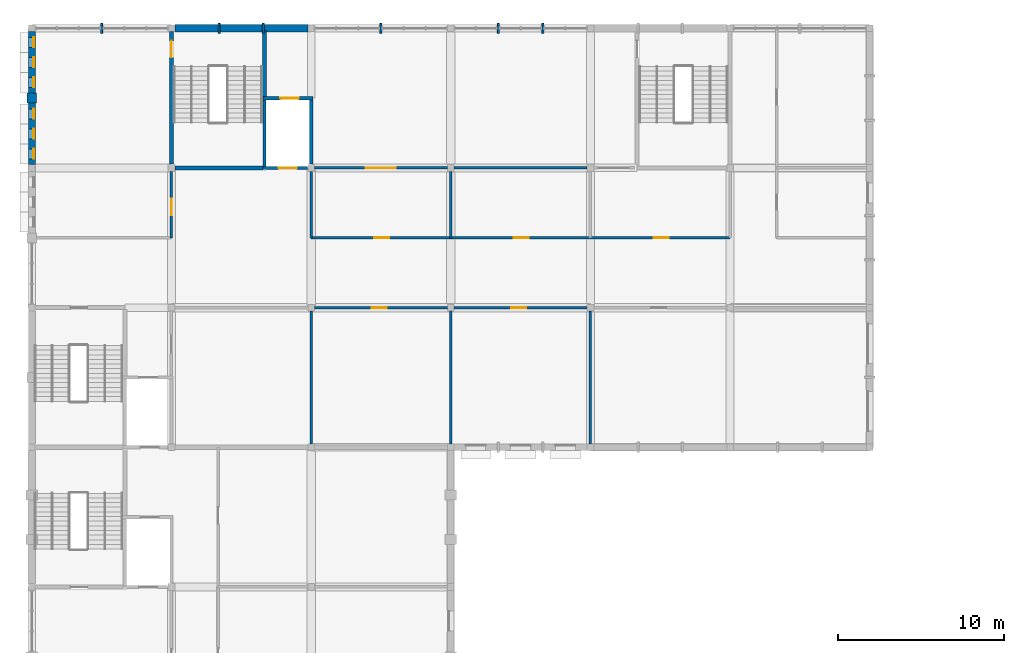
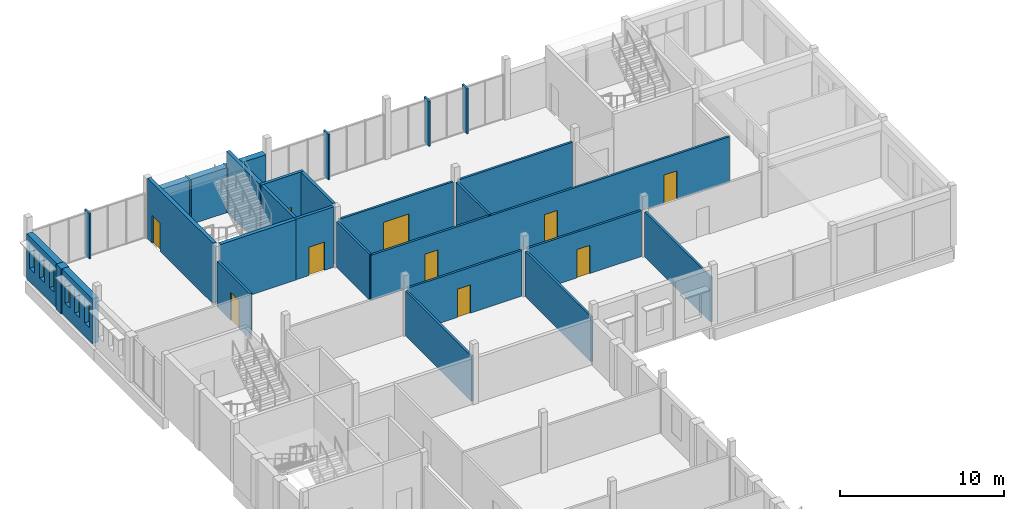
# One storey, part 18 of 22: 30 walls, 10 doors, 6 windows, 16 openings.
"""IFC4 building model written with IfcOpenShell, lengths in metres."""

from ifc_helpers import new_model, si_unit, direction, frame, frame_2d, origin, place, context, subcontext, project, spatial, rectangle, extrude, material, layer, layer_set, type_object, element, fill, save


model = new_model("IFC4")

# Units and contexts
model_context = context("Model", 3, precision=1e-05, world=origin(), true_north=direction((0.0, 1.0)))
body_context = subcontext(model_context, "Body", "Model", "MODEL_VIEW")
ifc_project = project(units=[si_unit("LENGTHUNIT", "METRE"), si_unit("AREAUNIT", "SQUARE_METRE"), si_unit("VOLUMEUNIT", "CUBIC_METRE"), si_unit("PLANEANGLEUNIT", "RADIAN"), si_unit("MASSUNIT", "GRAM", prefix="KILO")], contexts=[model_context])

# Site, building, storey
site_placement = place(None, origin())
site = spatial("IfcSite", under=ifc_project, at=site_placement, CompositionType="ELEMENT")
building_placement = place(site_placement, origin())
building = spatial("IfcBuilding", under=site, at=building_placement, Name="Fescue Hill Polytechnic", CompositionType="ELEMENT")
storey_placement = place(building_placement, frame((0.0, 0.0, 27.0)))
storey = spatial("IfcBuildingStorey", under=building, at=storey_placement, Name="L06", CompositionType="ELEMENT", Elevation=27.0)

# Walls
ifc_material_1 = material(Name="Clay brick masonry", Category="masonry")
ifc_layer_1 = layer(ifc_material_1, 0.550048828125)
ifc_layer_set_1 = layer_set([ifc_layer_1], Name="Clay brick masonry")
wall_type_1 = type_object("IfcWallType", Name="Brick pier 600x550", PredefinedType="SOLIDWALL", material=ifc_layer_set_1)
wall_1_placement = place(storey_placement, frame((0.0, 130.5, 0.0), z_axis=(0.0, 0.0, 1.0), x_axis=(0.0, -1.0, 0.0)))
element("IfcWall", 1, at=wall_1_placement, inside=storey, type_object=wall_type_1, Name="PR-L06-V5-15", PredefinedType="SOLIDWALL", context=body_context, shape_type="SweptSolid", body=[
    extrude(rectangle(XDim=0.60009765625, YDim=0.550048828125, at=frame_2d((0.300048828125, 0.0))), origin(), (0.0, 0.0, 1.0), 3.35009765625),
])
ifc_material_2 = material(Name="Concrete 40 MPa", Category="concrete")
ifc_layer_2 = layer(ifc_material_2, 0.25)
ifc_layer_set_2 = layer_set([ifc_layer_2], Name="Concrete 40 MPa")
wall_type_2 = type_object("IfcWallType", Name="Core wall 250", PredefinedType="SHEAR", material=ifc_layer_set_2)
wall_2_placement = place(storey_placement, frame((8.625, 126.0, 0.0), z_axis=(0.0, 0.0, 1.0), x_axis=(1.0, 0.0, 0.0)))
element("IfcWall", 2, at=wall_2_placement, inside=storey, type_object=wall_type_2, Name="CW-L06-ST-V5-3-11", PredefinedType="SHEAR", context=body_context, shape_type="SweptSolid", body=[
    extrude(rectangle(XDim=5.27490234375, YDim=0.25, at=frame_2d((2.637451171875, 0.0))), origin(), (0.0, 0.0, 1.0), 4.5),
])

# Wall, opening, door
wall_3_placement = place(storey_placement, frame((8.39990234375, 126.22509765625, 0.0), z_axis=(0.0, 0.0, 1.0), x_axis=(0.0, 1.0, 0.0)))
wall_3 = element("IfcWall", 3, at=wall_3_placement, inside=storey, type_object=wall_type_2, Name="CW-L06-ST-V5-3-31", PredefinedType="SHEAR", context=body_context, shape_type="SweptSolid", body=[
    extrude(rectangle(XDim=7.974853515625, YDim=0.25, at=frame_2d((3.9873046875, 0.0))), origin(), (0.0, 0.0, 1.0), 4.5),
])
opening_1_placement = place(wall_3_placement, frame((6.425048828125, 0.0, 0.0)))
opening_1 = element("IfcOpeningElement", 4, at=opening_1_placement, cuts=wall_3, Name="Opening D6031", PredefinedType="OPENING", context=body_context, shape_type="SweptSolid", body=[
    extrude(rectangle(XDim=1.0, YDim=2.10009765625, at=frame_2d((0.5, 1.050048828125))), frame((0.0, 0.135009765625, 0.0), z_axis=(0.0, -1.0, 0.0), x_axis=(1.0, 0.0, 0.0)), (0.0, 0.0, 1.0), 0.27001953125),
])
ifc_material_3 = material(Name="Steel fire door", Category="steel")
door_type_1 = type_object("IfcDoorType", Name="Door single swing 1000x2100 stair fire rated", OperationType="NOTDEFINED", PredefinedType="DOOR", material=ifc_material_3)
door_1_placement = place(opening_1_placement, origin())
door_1 = element("IfcDoor", 5, at=door_1_placement, inside=storey, type_object=door_type_1, Name="L06 ST-V5-3 stair door", OperationType="SINGLE_SWING_RIGHT", OverallHeight=2.10009765625, OverallWidth=1.0, PredefinedType="DOOR", context=body_context, shape_type="SweptSolid", body=[
    extrude(rectangle(XDim=1.0, YDim=2.10009765625, at=frame_2d((0.5, 1.050048828125))), frame((0.0, 0.02490234375, 0.0), z_axis=(0.0, -1.0, 0.0), x_axis=(1.0, 0.0, 0.0)), (0.0, 0.0, 1.0), 0.050048828125),
])
fill(opening_1, door_1)

# Wall
wall_4_placement = place(storey_placement, frame((14.0, 130.2099609375, 0.0), z_axis=(0.0, 0.0, 1.0), x_axis=(0.0, 1.0, 0.0)))
element("IfcWall", 6, at=wall_4_placement, inside=storey, type_object=wall_type_2, Name="CW-L06-ST-V5-3-41", PredefinedType="SHEAR", context=body_context, shape_type="SweptSolid", body=[
    extrude(rectangle(XDim=4.06494140625, YDim=0.25, at=frame_2d((2.032470703125, 0.0))), origin(), (0.0, 0.0, 1.0), 4.5),
])

# Wall, opening, door
ifc_material_4 = material(Name="Gypsum board partition")
ifc_layer_3 = layer(ifc_material_4, 0.14990234375)
ifc_layer_set_3 = layer_set([ifc_layer_3], Name="Gypsum board partition")
wall_type_3 = type_object("IfcWallType", Name="Corridor wall 150 EI 45", PredefinedType="PARTITIONING", material=ifc_layer_set_3)
wall_5_placement = place(storey_placement, frame((17.0, 117.60009765625, 0.0), z_axis=(0.0, 0.0, 1.0), x_axis=(1.0, 0.0, 0.0)))
wall_5 = element("IfcWall", 7, at=wall_5_placement, inside=storey, type_object=wall_type_3, Name="IW-L06-023", PredefinedType="PARTITIONING", context=body_context, shape_type="SweptSolid", body=[
    extrude(rectangle(XDim=8.0, YDim=0.14990234375, at=frame_2d((4.0, 0.0))), origin(), (0.0, 0.0, 1.0), 3.39990234375),
])
opening_2_placement = place(wall_5_placement, frame((3.449951171875, 0.0, 0.0)))
opening_2 = element("IfcOpeningElement", 8, at=opening_2_placement, cuts=wall_5, Name="Opening D6015", PredefinedType="OPENING", context=body_context, shape_type="SweptSolid", body=[
    extrude(rectangle(XDim=0.89990234375, YDim=2.10009765625, at=frame_2d((0.449951171875, 1.050048828125))), frame((0.0, 0.0849609375, 0.0), z_axis=(0.0, -1.0, 0.0), x_axis=(1.0, 0.0, 0.0)), (0.0, 0.0, 1.0), 0.169921875),
])
ifc_material_5 = material(Name="Timber", Category="wood")
door_type_2 = type_object("IfcDoorType", Name="Door single swing 900x2100 FD30S", OperationType="SINGLE_SWING_LEFT", PredefinedType="DOOR", material=ifc_material_5)
door_2_placement = place(opening_2_placement, origin())
door_2 = element("IfcDoor", 9, at=door_2_placement, inside=storey, type_object=door_type_2, Name="Door D6015", OperationType="SINGLE_SWING_LEFT", OverallHeight=2.10009765625, OverallWidth=0.89990234375, PredefinedType="DOOR", context=body_context, shape_type="SweptSolid", body=[
    extrude(rectangle(XDim=0.89990234375, YDim=2.10009765625, at=frame_2d((0.449951171875, 1.050048828125))), frame((0.0, 0.02490234375, 0.0), z_axis=(0.0, -1.0, 0.0), x_axis=(1.0, 0.0, 0.0)), (0.0, 0.0, 1.0), 0.050048828125),
])
fill(opening_2, door_2)

wall_6_placement = place(storey_placement, frame((25.39990234375, 117.60009765625, 0.0), z_axis=(0.0, 0.0, 1.0), x_axis=(1.0, 0.0, 0.0)))
wall_6 = element("IfcWall", 10, at=wall_6_placement, inside=storey, type_object=wall_type_3, Name="IW-L06-024", PredefinedType="PARTITIONING", context=body_context, shape_type="SweptSolid", body=[
    extrude(rectangle(XDim=8.0, YDim=0.14990234375, at=frame_2d((4.0, 0.0))), origin(), (0.0, 0.0, 1.0), 3.39990234375),
])
opening_3_placement = place(wall_6_placement, frame((3.449951171875, 0.0, 0.0)))
opening_3 = element("IfcOpeningElement", 11, at=opening_3_placement, cuts=wall_6, Name="Opening D6016", PredefinedType="OPENING", context=body_context, shape_type="SweptSolid", body=[
    extrude(rectangle(XDim=0.89990234375, YDim=2.10009765625, at=frame_2d((0.449951171875, 1.050048828125))), frame((0.0, 0.0849609375, 0.0), z_axis=(0.0, -1.0, 0.0), x_axis=(1.0, 0.0, 0.0)), (0.0, 0.0, 1.0), 0.169921875),
])
door_3_placement = place(opening_3_placement, origin())
door_3 = element("IfcDoor", 12, at=door_3_placement, inside=storey, type_object=door_type_2, Name="Door D6016", OperationType="SINGLE_SWING_LEFT", OverallHeight=2.10009765625, OverallWidth=0.89990234375, PredefinedType="DOOR", context=body_context, shape_type="SweptSolid", body=[
    extrude(rectangle(XDim=0.89990234375, YDim=2.10009765625, at=frame_2d((0.449951171875, 1.050048828125))), frame((0.0, 0.02490234375, 0.0), z_axis=(0.0, -1.0, 0.0), x_axis=(1.0, 0.0, 0.0)), (0.0, 0.0, 1.0), 0.050048828125),
])
fill(opening_3, door_3)

# Wall, openings, doors
wall_7_placement = place(storey_placement, frame((16.800048828125, 121.800048828125, 0.0), z_axis=(0.0, 0.0, 1.0), x_axis=(1.0, 0.0, 0.0)))
wall_7 = element("IfcWall", 13, at=wall_7_placement, inside=storey, type_object=wall_type_3, Name="IW-L06-028", PredefinedType="PARTITIONING", context=body_context, shape_type="SweptSolid", body=[
    extrude(rectangle(XDim=25.199951171875, YDim=0.14990234375, at=frame_2d((12.60009765625, 0.0))), origin(), (0.0, 0.0, 1.0), 3.35009765625),
])
opening_4_placement = place(wall_7_placement, frame((3.800048828125, 0.0, 0.0)))
opening_4 = element("IfcOpeningElement", 14, at=opening_4_placement, cuts=wall_7, Name="Opening D6018", PredefinedType="OPENING", context=body_context, shape_type="SweptSolid", body=[
    extrude(rectangle(XDim=0.89990234375, YDim=2.10009765625, at=frame_2d((0.449951171875, 1.050048828125))), frame((0.0, 0.0849609375, 0.0), z_axis=(0.0, -1.0, 0.0), x_axis=(1.0, 0.0, 0.0)), (0.0, 0.0, 1.0), 0.169921875),
])
opening_5_placement = place(wall_7_placement, frame((12.199951171875, 0.0, 0.0)))
opening_5 = element("IfcOpeningElement", 15, at=opening_5_placement, cuts=wall_7, Name="Opening D6019", PredefinedType="OPENING", context=body_context, shape_type="SweptSolid", body=[
    extrude(rectangle(XDim=0.89990234375, YDim=2.10009765625, at=frame_2d((0.449951171875, 1.050048828125))), frame((0.0, 0.0849609375, 0.0), z_axis=(0.0, -1.0, 0.0), x_axis=(1.0, 0.0, 0.0)), (0.0, 0.0, 1.0), 0.169921875),
])
opening_6_placement = place(wall_7_placement, frame((20.60009765625, 0.0, 0.0)))
opening_6 = element("IfcOpeningElement", 16, at=opening_6_placement, cuts=wall_7, Name="Opening D6020", PredefinedType="OPENING", context=body_context, shape_type="SweptSolid", body=[
    extrude(rectangle(XDim=0.89990234375, YDim=2.10009765625, at=frame_2d((0.449951171875, 1.050048828125))), frame((0.0, 0.0849609375, 0.0), z_axis=(0.0, -1.0, 0.0), x_axis=(1.0, 0.0, 0.0)), (0.0, 0.0, 1.0), 0.169921875),
])
door_4_placement = place(opening_4_placement, origin())
door_4 = element("IfcDoor", 17, at=door_4_placement, inside=storey, type_object=door_type_2, Name="Door D6018", OperationType="SINGLE_SWING_LEFT", OverallHeight=2.10009765625, OverallWidth=0.89990234375, PredefinedType="DOOR", context=body_context, shape_type="SweptSolid", body=[
    extrude(rectangle(XDim=0.89990234375, YDim=2.10009765625, at=frame_2d((0.449951171875, 1.050048828125))), frame((0.0, 0.02490234375, 0.0), z_axis=(0.0, -1.0, 0.0), x_axis=(1.0, 0.0, 0.0)), (0.0, 0.0, 1.0), 0.050048828125),
])
fill(opening_4, door_4)
door_5_placement = place(opening_5_placement, origin())
door_5 = element("IfcDoor", 18, at=door_5_placement, inside=storey, type_object=door_type_2, Name="Door D6019", OperationType="SINGLE_SWING_RIGHT", OverallHeight=2.10009765625, OverallWidth=0.89990234375, PredefinedType="DOOR", context=body_context, shape_type="SweptSolid", body=[
    extrude(rectangle(XDim=0.89990234375, YDim=2.10009765625, at=frame_2d((0.449951171875, 1.050048828125))), frame((0.0, 0.02490234375, 0.0), z_axis=(0.0, -1.0, 0.0), x_axis=(1.0, 0.0, 0.0)), (0.0, 0.0, 1.0), 0.050048828125),
])
fill(opening_5, door_5)
door_6_placement = place(opening_6_placement, origin())
door_6 = element("IfcDoor", 19, at=door_6_placement, inside=storey, type_object=door_type_2, Name="Door D6020", OperationType="SINGLE_SWING_RIGHT", OverallHeight=2.10009765625, OverallWidth=0.89990234375, PredefinedType="DOOR", context=body_context, shape_type="SweptSolid", body=[
    extrude(rectangle(XDim=0.89990234375, YDim=2.10009765625, at=frame_2d((0.449951171875, 1.050048828125))), frame((0.0, 0.02490234375, 0.0), z_axis=(0.0, -1.0, 0.0), x_axis=(1.0, 0.0, 0.0)), (0.0, 0.0, 1.0), 0.050048828125),
])
fill(opening_6, door_6)

# Walls
ifc_layer_4 = layer(ifc_material_2, 0.449951171875)
ifc_layer_set_4 = layer_set([ifc_layer_4], Name="Concrete 40 MPa")
wall_type_4 = type_object("IfcWallType", Name="Exterior wall board-marked concrete 450", PredefinedType="SOLIDWALL", material=ifc_layer_set_4)
wall_8_placement = place(storey_placement, frame((16.60009765625, 134.39990234375, 0.0), z_axis=(0.0, 0.0, 1.0), x_axis=(-1.0, 0.0, 0.0)))
element("IfcWall", 20, at=wall_8_placement, inside=storey, type_object=wall_type_4, Name="EW-L06-V5-13", PredefinedType="SOLIDWALL", context=body_context, shape_type="SweptSolid", body=[
    extrude(rectangle(XDim=2.606689453125, YDim=0.449951171875, at=frame_2d((1.30322265625, 0.0))), origin(), (0.0, 0.0, 1.0), 3.35009765625),
])
ifc_layer_5 = layer(ifc_material_2, 0.449951171875)
ifc_layer_set_5 = layer_set([ifc_layer_5], Name="Concrete 40 MPa")
wall_type_5 = type_object("IfcWallType", Name="Exterior wall board-marked concrete 450 load-bearing", PredefinedType="SOLIDWALL", material=ifc_layer_set_5)
wall_9_placement = place(storey_placement, frame((13.873291015625, 134.39990234375, 0.0), z_axis=(0.0, 0.0, 1.0), x_axis=(-1.0, 0.0, 0.0)))
element("IfcWall", 21, at=wall_9_placement, inside=storey, type_object=wall_type_5, Name="EW-L06-V5-14", PredefinedType="SOLIDWALL", context=body_context, shape_type="SweptSolid", body=[
    extrude(rectangle(XDim=2.546630859375, YDim=0.449951171875, at=frame_2d((1.2734375, 0.0))), origin(), (0.0, 0.0, 1.0), 3.35009765625),
])
wall_10_placement = place(storey_placement, frame((11.206787109375, 134.39990234375, 0.0), z_axis=(0.0, 0.0, 1.0), x_axis=(-1.0, 0.0, 0.0)))
element("IfcWall", 22, at=wall_10_placement, inside=storey, type_object=wall_type_5, Name="EW-L06-V5-15", PredefinedType="SOLIDWALL", context=body_context, shape_type="SweptSolid", body=[
    extrude(rectangle(XDim=2.606689453125, YDim=0.449951171875, at=frame_2d((1.30322265625, 0.0))), origin(), (0.0, 0.0, 1.0), 3.35009765625),
])

# Wall, openings, windows
ifc_layer_6 = layer(ifc_material_1, 0.419921875)
ifc_layer_set_6 = layer_set([ifc_layer_6], Name="Clay brick masonry")
wall_type_6 = type_object("IfcWallType", Name="Exterior wall buff-red brick cavity 420", PredefinedType="SOLIDWALL", material=ifc_layer_set_6)
wall_11_placement = place(storey_placement, frame((0.0, 134.199951171875, 0.0), z_axis=(0.0, 0.0, 1.0), x_axis=(0.0, -1.0, 0.0)))
wall_11 = element("IfcWall", 23, at=wall_11_placement, inside=storey, type_object=wall_type_6, Name="EW-L06-V5-17", PredefinedType="SOLIDWALL", context=body_context, shape_type="SweptSolid", body=[
    extrude(rectangle(XDim=3.699951171875, YDim=0.419921875, at=frame_2d((1.85009765625, 0.0))), origin(), (0.0, 0.0, 1.0), 3.35009765625),
])
opening_7_placement = place(wall_11_placement, frame((0.35009765625, 0.0, 1.0)))
opening_7 = element("IfcOpeningElement", 24, at=opening_7_placement, cuts=wall_11, Name="Opening W6R", PredefinedType="OPENING", context=body_context, shape_type="SweptSolid", body=[
    extrude(rectangle(XDim=0.60009765625, YDim=1.800048828125, at=frame_2d((0.300048828125, 0.89990234375))), frame((0.0, 0.219970703125, 0.0), z_axis=(0.0, -1.0, 0.0), x_axis=(1.0, 0.0, 0.0)), (0.0, 0.0, 1.0), 0.43994140625),
])
opening_8_placement = place(wall_11_placement, frame((1.550048828125, 0.0, 1.0)))
opening_8 = element("IfcOpeningElement", 25, at=opening_8_placement, cuts=wall_11, Name="Opening W6R", PredefinedType="OPENING", context=body_context, shape_type="SweptSolid", body=[
    extrude(rectangle(XDim=0.60009765625, YDim=1.800048828125, at=frame_2d((0.300048828125, 0.89990234375))), frame((0.0, 0.219970703125, 0.0), z_axis=(0.0, -1.0, 0.0), x_axis=(1.0, 0.0, 0.0)), (0.0, 0.0, 1.0), 0.43994140625),
])
opening_9_placement = place(wall_11_placement, frame((2.75, 0.0, 1.0)))
opening_9 = element("IfcOpeningElement", 26, at=opening_9_placement, cuts=wall_11, Name="Opening W6R", PredefinedType="OPENING", context=body_context, shape_type="SweptSolid", body=[
    extrude(rectangle(XDim=0.60009765625, YDim=1.800048828125, at=frame_2d((0.300048828125, 0.89990234375))), frame((0.0, 0.219970703125, 0.0), z_axis=(0.0, -1.0, 0.0), x_axis=(1.0, 0.0, 0.0)), (0.0, 0.0, 1.0), 0.43994140625),
])
ifc_material_6 = material(Name="Powder-coated aluminium and glass", Category="aluminium")
window_type = type_object("IfcWindowType", Name="Window slot 600x1800", PartitioningType="SINGLE_PANEL", PredefinedType="WINDOW", material=ifc_material_6)
window_1_placement = place(opening_7_placement, origin())
window_1 = element("IfcWindow", 27, at=window_1_placement, inside=storey, type_object=window_type, Name="WN-L06-V5-4", OverallHeight=1.800048828125, OverallWidth=0.60009765625, PartitioningType="SINGLE_PANEL", PredefinedType="WINDOW", context=body_context, shape_type="SweptSolid", body=[
    extrude(rectangle(XDim=0.60009765625, YDim=1.800048828125, at=frame_2d((0.300048828125, 0.89990234375))), frame((0.0, 0.150146484375, 0.0), z_axis=(0.0, -1.0, 0.0), x_axis=(1.0, 0.0, 0.0)), (0.0, 0.0, 1.0), 0.06005859375),
])
fill(opening_7, window_1)
window_2_placement = place(opening_8_placement, origin())
window_2 = element("IfcWindow", 28, at=window_2_placement, inside=storey, type_object=window_type, Name="WN-L06-V5-5", OverallHeight=1.800048828125, OverallWidth=0.60009765625, PartitioningType="SINGLE_PANEL", PredefinedType="WINDOW", context=body_context, shape_type="SweptSolid", body=[
    extrude(rectangle(XDim=0.60009765625, YDim=1.800048828125, at=frame_2d((0.300048828125, 0.89990234375))), frame((0.0, 0.150146484375, 0.0), z_axis=(0.0, -1.0, 0.0), x_axis=(1.0, 0.0, 0.0)), (0.0, 0.0, 1.0), 0.06005859375),
])
fill(opening_8, window_2)
window_3_placement = place(opening_9_placement, origin())
window_3 = element("IfcWindow", 29, at=window_3_placement, inside=storey, type_object=window_type, Name="WN-L06-V5-6", OverallHeight=1.800048828125, OverallWidth=0.60009765625, PartitioningType="SINGLE_PANEL", PredefinedType="WINDOW", context=body_context, shape_type="SweptSolid", body=[
    extrude(rectangle(XDim=0.60009765625, YDim=1.800048828125, at=frame_2d((0.300048828125, 0.89990234375))), frame((0.0, 0.150146484375, 0.0), z_axis=(0.0, -1.0, 0.0), x_axis=(1.0, 0.0, 0.0)), (0.0, 0.0, 1.0), 0.06005859375),
])
fill(opening_9, window_3)

wall_12_placement = place(storey_placement, frame((0.0, 129.89990234375, 0.0), z_axis=(0.0, 0.0, 1.0), x_axis=(0.0, -1.0, 0.0)))
wall_12 = element("IfcWall", 30, at=wall_12_placement, inside=storey, type_object=wall_type_6, Name="EW-L06-V5-18", PredefinedType="SOLIDWALL", context=body_context, shape_type="SweptSolid", body=[
    extrude(rectangle(XDim=3.699951171875, YDim=0.419921875, at=frame_2d((1.85009765625, 0.0))), origin(), (0.0, 0.0, 1.0), 3.35009765625),
])
opening_10_placement = place(wall_12_placement, frame((0.35009765625, 0.0, 1.0)))
opening_10 = element("IfcOpeningElement", 31, at=opening_10_placement, cuts=wall_12, Name="Opening W6R", PredefinedType="OPENING", context=body_context, shape_type="SweptSolid", body=[
    extrude(rectangle(XDim=0.60009765625, YDim=1.800048828125, at=frame_2d((0.300048828125, 0.89990234375))), frame((0.0, 0.219970703125, 0.0), z_axis=(0.0, -1.0, 0.0), x_axis=(1.0, 0.0, 0.0)), (0.0, 0.0, 1.0), 0.43994140625),
])
opening_11_placement = place(wall_12_placement, frame((1.550048828125, 0.0, 1.0)))
opening_11 = element("IfcOpeningElement", 32, at=opening_11_placement, cuts=wall_12, Name="Opening W6R", PredefinedType="OPENING", context=body_context, shape_type="SweptSolid", body=[
    extrude(rectangle(XDim=0.60009765625, YDim=1.800048828125, at=frame_2d((0.300048828125, 0.89990234375))), frame((0.0, 0.219970703125, 0.0), z_axis=(0.0, -1.0, 0.0), x_axis=(1.0, 0.0, 0.0)), (0.0, 0.0, 1.0), 0.43994140625),
])
opening_12_placement = place(wall_12_placement, frame((2.75, 0.0, 1.0)))
opening_12 = element("IfcOpeningElement", 33, at=opening_12_placement, cuts=wall_12, Name="Opening W6R", PredefinedType="OPENING", context=body_context, shape_type="SweptSolid", body=[
    extrude(rectangle(XDim=0.60009765625, YDim=1.800048828125, at=frame_2d((0.300048828125, 0.89990234375))), frame((0.0, 0.219970703125, 0.0), z_axis=(0.0, -1.0, 0.0), x_axis=(1.0, 0.0, 0.0)), (0.0, 0.0, 1.0), 0.43994140625),
])
window_4_placement = place(opening_10_placement, origin())
window_4 = element("IfcWindow", 34, at=window_4_placement, inside=storey, type_object=window_type, Name="WN-L06-V5-7", OverallHeight=1.800048828125, OverallWidth=0.60009765625, PartitioningType="SINGLE_PANEL", PredefinedType="WINDOW", context=body_context, shape_type="SweptSolid", body=[
    extrude(rectangle(XDim=0.60009765625, YDim=1.800048828125, at=frame_2d((0.300048828125, 0.89990234375))), frame((0.0, 0.150146484375, 0.0), z_axis=(0.0, -1.0, 0.0), x_axis=(1.0, 0.0, 0.0)), (0.0, 0.0, 1.0), 0.06005859375),
])
fill(opening_10, window_4)
window_5_placement = place(opening_11_placement, origin())
window_5 = element("IfcWindow", 35, at=window_5_placement, inside=storey, type_object=window_type, Name="WN-L06-V5-8", OverallHeight=1.800048828125, OverallWidth=0.60009765625, PartitioningType="SINGLE_PANEL", PredefinedType="WINDOW", context=body_context, shape_type="SweptSolid", body=[
    extrude(rectangle(XDim=0.60009765625, YDim=1.800048828125, at=frame_2d((0.300048828125, 0.89990234375))), frame((0.0, 0.150146484375, 0.0), z_axis=(0.0, -1.0, 0.0), x_axis=(1.0, 0.0, 0.0)), (0.0, 0.0, 1.0), 0.06005859375),
])
fill(opening_11, window_5)
window_6_placement = place(opening_12_placement, origin())
window_6 = element("IfcWindow", 36, at=window_6_placement, inside=storey, type_object=window_type, Name="WN-L06-V5-9", OverallHeight=1.800048828125, OverallWidth=0.60009765625, PartitioningType="SINGLE_PANEL", PredefinedType="WINDOW", context=body_context, shape_type="SweptSolid", body=[
    extrude(rectangle(XDim=0.60009765625, YDim=1.800048828125, at=frame_2d((0.300048828125, 0.89990234375))), frame((0.0, 0.150146484375, 0.0), z_axis=(0.0, -1.0, 0.0), x_axis=(1.0, 0.0, 0.0)), (0.0, 0.0, 1.0), 0.06005859375),
])
fill(opening_12, window_6)

# Wall, opening, door
ifc_layer_7 = layer(ifc_material_2, 0.199951171875)
ifc_layer_set_7 = layer_set([ifc_layer_7], Name="Concrete 40 MPa")
wall_type_7 = type_object("IfcWallType", Name="Lift shaft wall 200", PredefinedType="SHEAR", material=ifc_layer_set_7)
wall_13_placement = place(storey_placement, frame((13.89990234375, 126.0, 0.0), z_axis=(0.0, 0.0, 1.0), x_axis=(1.0, 0.0, 0.0)))
wall_13 = element("IfcWall", 37, at=wall_13_placement, inside=storey, type_object=wall_type_7, Name="CW-L06-LF-V5-2-11", PredefinedType="SHEAR", context=body_context, shape_type="SweptSolid", body=[
    extrude(rectangle(XDim=2.675048828125, YDim=0.199951171875, at=frame_2d((1.33740234375, 0.0))), origin(), (0.0, 0.0, 1.0), 4.5),
])
opening_13_placement = place(wall_13_placement, frame((0.949951171875, 0.0, 0.0)))
opening_13 = element("IfcOpeningElement", 38, at=opening_13_placement, cuts=wall_13, Name="Opening LD7-L06", PredefinedType="OPENING", context=body_context, shape_type="SweptSolid", body=[
    extrude(rectangle(XDim=1.10009765625, YDim=2.10009765625, at=frame_2d((0.550048828125, 1.050048828125))), frame((0.0, 0.10986328125, 0.0), z_axis=(0.0, -1.0, 0.0), x_axis=(1.0, 0.0, 0.0)), (0.0, 0.0, 1.0), 0.219970703125),
])
ifc_material_7 = material(Name="Stainless steel", Category="steel")
door_type_3 = type_object("IfcDoorType", Name="Lift landing door sliding 1100x2100", OperationType="SLIDING_TO_LEFT", PredefinedType="DOOR", material=ifc_material_7)
door_7_placement = place(opening_13_placement, origin())
door_7 = element("IfcDoor", 39, at=door_7_placement, inside=storey, type_object=door_type_3, Name="L06 LF-V5-2 lift landing door", OperationType="SLIDING_TO_LEFT", OverallHeight=2.10009765625, OverallWidth=1.10009765625, PredefinedType="DOOR", context=body_context, shape_type="SweptSolid", body=[
    extrude(rectangle(XDim=1.10009765625, YDim=2.10009765625, at=frame_2d((0.550048828125, 1.050048828125))), frame((0.0, 0.02490234375, 0.0), z_axis=(0.0, -1.0, 0.0), x_axis=(1.0, 0.0, 0.0)), (0.0, 0.0, 1.0), 0.050048828125),
])
fill(opening_13, door_7)

wall_14_placement = place(storey_placement, frame((13.89990234375, 130.199951171875, 0.0), z_axis=(0.0, 0.0, 1.0), x_axis=(1.0, 0.0, 0.0)))
wall_14 = element("IfcWall", 40, at=wall_14_placement, inside=storey, type_object=wall_type_7, Name="CW-L06-LF-V5-2-21", PredefinedType="SHEAR", context=body_context, shape_type="SweptSolid", body=[
    extrude(rectangle(XDim=3.0, YDim=0.199951171875, at=frame_2d((1.5, 0.0))), origin(), (0.0, 0.0, 1.0), 4.5),
])
opening_14_placement = place(wall_14_placement, frame((1.050048828125, 0.0, 0.0)))
opening_14 = element("IfcOpeningElement", 41, at=opening_14_placement, cuts=wall_14, Name="Opening LD7-L06N", PredefinedType="OPENING", context=body_context, shape_type="SweptSolid", body=[
    extrude(rectangle(XDim=1.10009765625, YDim=2.10009765625, at=frame_2d((0.550048828125, 1.050048828125))), frame((0.0, 0.10986328125, 0.0), z_axis=(0.0, -1.0, 0.0), x_axis=(1.0, 0.0, 0.0)), (0.0, 0.0, 1.0), 0.219970703125),
])
door_8_placement = place(opening_14_placement, origin())
door_8 = element("IfcDoor", 42, at=door_8_placement, inside=storey, type_object=door_type_3, Name="L06 LF-V5-2 lift landing door", OperationType="SLIDING_TO_RIGHT", OverallHeight=2.10009765625, OverallWidth=1.10009765625, PredefinedType="DOOR", context=body_context, shape_type="SweptSolid", body=[
    extrude(rectangle(XDim=1.10009765625, YDim=2.10009765625, at=frame_2d((0.550048828125, 1.050048828125))), frame((0.0, 0.02490234375, 0.0), z_axis=(0.0, -1.0, 0.0), x_axis=(1.0, 0.0, 0.0)), (0.0, 0.0, 1.0), 0.050048828125),
])
fill(opening_14, door_8)

# Walls
wall_15_placement = place(storey_placement, frame((14.0, 126.10009765625, 0.0), z_axis=(0.0, 0.0, 1.0), x_axis=(0.0, 1.0, 0.0)))
element("IfcWall", 43, at=wall_15_placement, inside=storey, type_object=wall_type_7, Name="CW-L06-LF-V5-2-31", PredefinedType="SHEAR", context=body_context, shape_type="SweptSolid", body=[
    extrude(rectangle(XDim=4.0, YDim=0.199951171875, at=frame_2d((2.0, 0.0))), origin(), (0.0, 0.0, 1.0), 4.5),
])
wall_16_placement = place(storey_placement, frame((16.800048828125, 126.22509765625, 0.0), z_axis=(0.0, 0.0, 1.0), x_axis=(0.0, 1.0, 0.0)))
element("IfcWall", 44, at=wall_16_placement, inside=storey, type_object=wall_type_7, Name="CW-L06-LF-V5-2-41", PredefinedType="SHEAR", context=body_context, shape_type="SweptSolid", body=[
    extrude(rectangle(XDim=3.875, YDim=0.199951171875, at=frame_2d((1.9375, 0.0))), origin(), (0.0, 0.0, 1.0), 4.5),
])

# Wall, opening, door
ifc_layer_8 = layer(ifc_material_4, 0.14990234375)
ifc_layer_set_8 = layer_set([ifc_layer_8], Name="Gypsum board partition")
wall_type_8 = type_object("IfcWallType", Name="Lobby wall 150 EI 60", PredefinedType="PARTITIONING", material=ifc_layer_set_8)
wall_17_placement = place(storey_placement, frame((8.39990234375, 121.800048828125, 0.0), z_axis=(0.0, 0.0, 1.0), x_axis=(0.0, 1.0, 0.0)))
wall_17 = element("IfcWall", 45, at=wall_17_placement, inside=storey, type_object=wall_type_8, Name="IW-L06-039", PredefinedType="PARTITIONING", context=body_context, shape_type="SweptSolid", body=[
    extrude(rectangle(XDim=4.0, YDim=0.14990234375, at=frame_2d((2.0, 0.0))), origin(), (0.0, 0.0, 1.0), 3.39990234375),
])
opening_15_placement = place(wall_17_placement, frame((1.35009765625, 0.0, 0.0)))
opening_15 = element("IfcOpeningElement", 46, at=opening_15_placement, cuts=wall_17, Name="Opening D6024", PredefinedType="OPENING", context=body_context, shape_type="SweptSolid", body=[
    extrude(rectangle(XDim=1.0, YDim=2.10009765625, at=frame_2d((0.5, 1.050048828125))), frame((0.0, 0.0849609375, 0.0), z_axis=(0.0, -1.0, 0.0), x_axis=(1.0, 0.0, 0.0)), (0.0, 0.0, 1.0), 0.169921875),
])
ifc_material_8 = material(Name="Steel", Category="steel")
door_type_4 = type_object("IfcDoorType", Name="Door single swing 1000x2100 FD60", OperationType="SINGLE_SWING_LEFT", PredefinedType="DOOR", material=ifc_material_8)
door_9_placement = place(opening_15_placement, origin())
door_9 = element("IfcDoor", 47, at=door_9_placement, inside=storey, type_object=door_type_4, Name="Door D6024", OperationType="SINGLE_SWING_LEFT", OverallHeight=2.10009765625, OverallWidth=1.0, PredefinedType="DOOR", context=body_context, shape_type="SweptSolid", body=[
    extrude(rectangle(XDim=1.0, YDim=2.10009765625, at=frame_2d((0.5, 1.050048828125))), frame((0.0, 0.02490234375, 0.0), z_axis=(0.0, -1.0, 0.0), x_axis=(1.0, 0.0, 0.0)), (0.0, 0.0, 1.0), 0.050048828125),
])
fill(opening_15, door_9)

# Wall
wall_18_placement = place(storey_placement, frame((16.800048828125, 121.800048828125, 0.0), z_axis=(0.0, 0.0, 1.0), x_axis=(0.0, 1.0, 0.0)))
element("IfcWall", 48, at=wall_18_placement, inside=storey, type_object=wall_type_8, Name="IW-L06-047", PredefinedType="PARTITIONING", context=body_context, shape_type="SweptSolid", body=[
    extrude(rectangle(XDim=4.0, YDim=0.14990234375, at=frame_2d((2.0, 0.0))), origin(), (0.0, 0.0, 1.0), 3.39990234375),
])

# Wall, opening, door
ifc_layer_9 = layer(ifc_material_4, 0.14990234375)
ifc_layer_set_9 = layer_set([ifc_layer_9], Name="Gypsum board partition")
wall_type_9 = type_object("IfcWallType", Name="Partition stud 150 acoustic", PredefinedType="PARTITIONING", material=ifc_layer_set_9)
wall_19_placement = place(storey_placement, frame((17.0, 126.0, 0.0), z_axis=(0.0, 0.0, 1.0), x_axis=(1.0, 0.0, 0.0)))
wall_19 = element("IfcWall", 49, at=wall_19_placement, inside=storey, type_object=wall_type_9, Name="IW-L06-030", PredefinedType="PARTITIONING", context=body_context, shape_type="SweptSolid", body=[
    extrude(rectangle(XDim=8.0, YDim=0.14990234375, at=frame_2d((4.0, 0.0))), origin(), (0.0, 0.0, 1.0), 3.39990234375),
])
opening_16_placement = place(wall_19_placement, frame((3.10009765625, 0.0, 0.0)))
opening_16 = element("IfcOpeningElement", 50, at=opening_16_placement, cuts=wall_19, Name="Opening D6022", PredefinedType="OPENING", context=body_context, shape_type="SweptSolid", body=[
    extrude(rectangle(XDim=1.800048828125, YDim=2.10009765625, at=frame_2d((0.89990234375, 1.050048828125))), frame((0.0, 0.0849609375, 0.0), z_axis=(0.0, -1.0, 0.0), x_axis=(1.0, 0.0, 0.0)), (0.0, 0.0, 1.0), 0.169921875),
])
door_type_5 = type_object("IfcDoorType", Name="Door double swing 1800x2100", OperationType="DOUBLE_DOOR_SINGLE_SWING", PredefinedType="DOOR", material=ifc_material_5)
door_10_placement = place(opening_16_placement, origin())
door_10 = element("IfcDoor", 51, at=door_10_placement, inside=storey, type_object=door_type_5, Name="Door D6022", OperationType="DOUBLE_DOOR_SINGLE_SWING", OverallHeight=2.10009765625, OverallWidth=1.800048828125, PredefinedType="DOOR", context=body_context, shape_type="SweptSolid", body=[
    extrude(rectangle(XDim=1.800048828125, YDim=2.10009765625, at=frame_2d((0.89990234375, 1.050048828125))), frame((0.0, 0.02490234375, 0.0), z_axis=(0.0, -1.0, 0.0), x_axis=(1.0, 0.0, 0.0)), (0.0, 0.0, 1.0), 0.050048828125),
])
fill(opening_16, door_10)

# Walls
wall_20_placement = place(storey_placement, frame((25.39990234375, 126.0, 0.0), z_axis=(0.0, 0.0, 1.0), x_axis=(1.0, 0.0, 0.0)))
element("IfcWall", 52, at=wall_20_placement, inside=storey, type_object=wall_type_9, Name="IW-L06-031", PredefinedType="PARTITIONING", context=body_context, shape_type="SweptSolid", body=[
    extrude(rectangle(XDim=8.0, YDim=0.14990234375, at=frame_2d((4.0, 0.0))), origin(), (0.0, 0.0, 1.0), 3.39990234375),
])
for number, where, z_axis, x_axis, name in (
    (53, (16.800048828125, 109.39990234375, 0.0), (0.0, 0.0, 1.0), (0.0, 1.0, 0.0), "IW-L06-048"),
    (54, (25.199951171875, 109.39990234375, 0.0), (0.0, 0.0, 1.0), (0.0, 1.0, 0.0), "IW-L06-049"),
):
    element("IfcWall", number, at=place(storey_placement, frame(where, z_axis=z_axis, x_axis=x_axis)), inside=storey, type_object=wall_type_9, Name=name, PredefinedType="PARTITIONING", context=body_context, shape_type="SweptSolid", body=[
        extrude(rectangle(XDim=8.0, YDim=0.14990234375, at=frame_2d((4.0, 0.0))), origin(), (0.0, 0.0, 1.0), 3.35009765625),
    ])
wall_21_placement = place(storey_placement, frame((25.199951171875, 121.800048828125, 0.0), z_axis=(0.0, 0.0, 1.0), x_axis=(0.0, 1.0, 0.0)))
element("IfcWall", 55, at=wall_21_placement, inside=storey, type_object=wall_type_9, Name="IW-L06-050", PredefinedType="PARTITIONING", context=body_context, shape_type="SweptSolid", body=[
    extrude(rectangle(XDim=4.0, YDim=0.14990234375, at=frame_2d((2.0, 0.0))), origin(), (0.0, 0.0, 1.0), 3.39990234375),
])
wall_22_placement = place(storey_placement, frame((33.60009765625, 109.39990234375, 0.0), z_axis=(0.0, 0.0, 1.0), x_axis=(0.0, 1.0, 0.0)))
element("IfcWall", 56, at=wall_22_placement, inside=storey, type_object=wall_type_9, Name="IW-L06-051", PredefinedType="PARTITIONING", context=body_context, shape_type="SweptSolid", body=[
    extrude(rectangle(XDim=8.0, YDim=0.14990234375, at=frame_2d((4.0, 0.0))), origin(), (0.0, 0.0, 1.0), 3.35009765625),
])
ifc_material_9 = material(Name="Glulam 24f-EX", Category="wood")
ifc_layer_10 = layer(ifc_material_9, 0.60009765625)
ifc_layer_set_10 = layer_set([ifc_layer_10], Name="Glulam 24f-EX")
wall_type_10 = type_object("IfcWallType", Name="Timber fin 120x600", PredefinedType="SOLIDWALL", material=ifc_layer_set_10)
wall_23_placement = place(storey_placement, frame((30.793212890625, 134.39990234375, 0.0), z_axis=(0.0, 0.0, 1.0), x_axis=(-1.0, 0.0, 0.0)))
element("IfcWall", 57, at=wall_23_placement, inside=storey, type_object=wall_type_10, Name="PR-L06-V5-9", PredefinedType="SOLIDWALL", context=body_context, shape_type="SweptSolid", body=[
    extrude(rectangle(XDim=0.119873046875, YDim=0.60009765625, at=frame_2d((0.06005859375, 0.0))), origin(), (0.0, 0.0, 1.0), 3.35009765625),
])
for number, where, z_axis, x_axis, name in (
    (58, (28.126708984375, 134.39990234375, 0.0), (0.0, 0.0, 1.0), (-1.0, 0.0, 0.0), "PR-L06-V5-10"),
    (59, (21.06005859375, 134.39990234375, 0.0), (0.0, 0.0, 1.0), (-1.0, 0.0, 0.0), "PR-L06-V5-11"),
    (60, (13.993408203125, 134.39990234375, 0.0), (0.0, 0.0, 1.0), (-1.0, 0.0, 0.0), "PR-L06-V5-12"),
):
    element("IfcWall", number, at=place(storey_placement, frame(where, z_axis=z_axis, x_axis=x_axis)), inside=storey, type_object=wall_type_10, Name=name, PredefinedType="SOLIDWALL", context=body_context, shape_type="SweptSolid", body=[
        extrude(rectangle(XDim=0.1201171875, YDim=0.60009765625, at=frame_2d((0.06005859375, 0.0))), origin(), (0.0, 0.0, 1.0), 3.35009765625),
    ])
wall_24_placement = place(storey_placement, frame((11.32666015625, 134.39990234375, 0.0), z_axis=(0.0, 0.0, 1.0), x_axis=(-1.0, 0.0, 0.0)))
element("IfcWall", 61, at=wall_24_placement, inside=storey, type_object=wall_type_10, Name="PR-L06-V5-13", PredefinedType="SOLIDWALL", context=body_context, shape_type="SweptSolid", body=[
    extrude(rectangle(XDim=0.119873046875, YDim=0.60009765625, at=frame_2d((0.06005859375, 0.0))), origin(), (0.0, 0.0, 1.0), 3.35009765625),
])
wall_25_placement = place(storey_placement, frame((4.260009765625, 134.39990234375, 0.0), z_axis=(0.0, 0.0, 1.0), x_axis=(-1.0, 0.0, 0.0)))
element("IfcWall", 62, at=wall_25_placement, inside=storey, type_object=wall_type_10, Name="PR-L06-V5-14", PredefinedType="SOLIDWALL", context=body_context, shape_type="SweptSolid", body=[
    extrude(rectangle(XDim=0.1201171875, YDim=0.60009765625, at=frame_2d((0.06005859375, 0.0))), origin(), (0.0, 0.0, 1.0), 3.35009765625),
])

save(model, "model.ifc")
